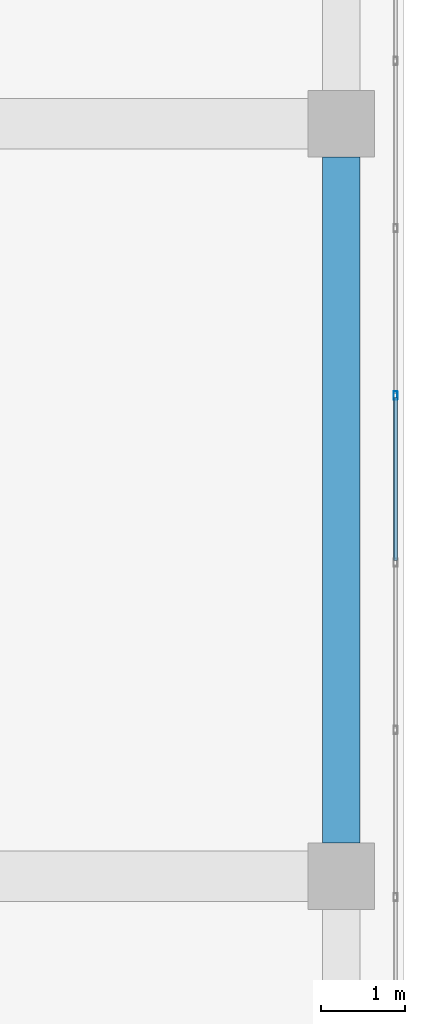
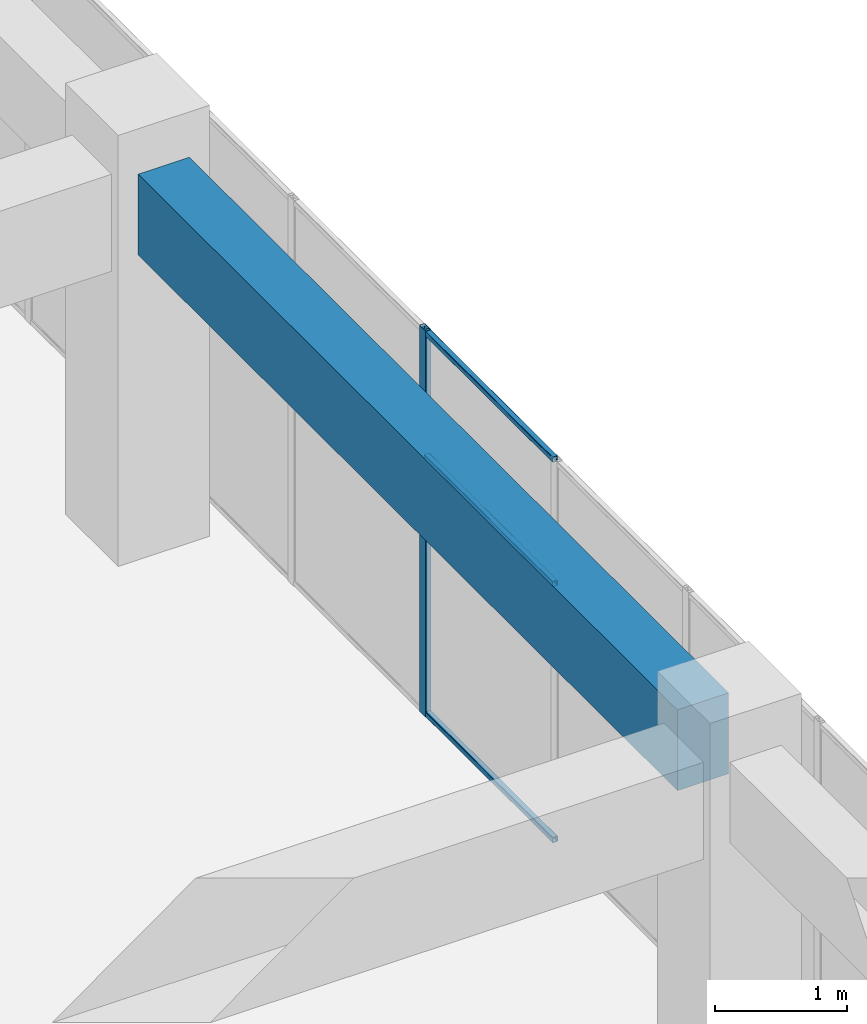
# One storey, part 48 of 72: 4 members, 1 beam, 1 element without a shape of its own.
"""IFC4 building model written with IfcOpenShell, lengths in metres."""

from ifc_helpers import new_model, si_unit, direction, frame, origin, origin_2d, place, context, subcontext, project, spatial, rectangle, hollow_rectangle, extrude, material, layer, layer_set, material_profile, profile_set, type_object, element, aggregate, save


model = new_model("IFC4")

# Units and contexts
model_context = context("Model", 3, precision=1e-05, world=origin(), true_north=direction((0.0, 1.0)))
body_context = subcontext(model_context, "Body", "Model", "MODEL_VIEW")
ifc_project = project(units=[si_unit("LENGTHUNIT", "METRE"), si_unit("AREAUNIT", "SQUARE_METRE"), si_unit("VOLUMEUNIT", "CUBIC_METRE"), si_unit("PLANEANGLEUNIT", "RADIAN"), si_unit("MASSUNIT", "GRAM", prefix="KILO")], contexts=[model_context])

# Site, building, storey
site_placement = place(None, origin())
site = spatial("IfcSite", under=ifc_project, at=site_placement, CompositionType="ELEMENT")
building_placement = place(site_placement, origin())
building = spatial("IfcBuilding", under=site, at=building_placement, Name="Tuart Plaza Theatre", CompositionType="ELEMENT")
storey_placement = place(building_placement, frame((0.0, 0.0, 13.5)))
storey = spatial("IfcBuildingStorey", under=building, at=storey_placement, Name="L03", CompositionType="ELEMENT", Elevation=13.5)

# Beam
ifc_material_1 = material(Name="Concrete N40 (40 MPa)", Category="concrete")
ifc_material_profile_1 = material_profile(ifc_material_1, rectangle(XDim=0.449951171875, YDim=0.75, at=origin_2d()), Name="BEAM 450x750 Concrete N40 (40 MPa)")
ifc_profile_set_1 = profile_set([ifc_material_profile_1], Name="Concrete N40 (40 MPa)")
beam_type = type_object("IfcBeamType", Name="BEAM 450x750 Concrete N40 (40 MPa)", PredefinedType="BEAM", material=ifc_profile_set_1)
beam_placement = place(storey_placement, frame((150.0, 65.39990234375, 3.205078125), z_axis=(0.0, 1.0, 0.0), x_axis=(-1.0, 0.0, 0.0)))
element("IfcBeam", 1, at=beam_placement, inside=storey, type_object=beam_type, Name="RB199", PredefinedType="BEAM", context=body_context, shape_type="SweptSolid", body=[
    extrude(rectangle(XDim=0.449951171875, YDim=0.75, at=origin_2d()), origin(), (0.0, 0.0, 1.0), 8.2001953125),
])

# Curtain wall, members
ifc_material_2 = material(Name="Aluminium and glass", Category="aluminium")
ifc_layer = layer(ifc_material_2, 0.10009765625)
ifc_layer_set = layer_set([ifc_layer], Name="CURTAIN WALL 2000 module")
curtain_wall_type = type_object("IfcCurtainWallType", Name="CURTAIN WALL 2000 module", PredefinedType="NOTDEFINED", material=ifc_layer_set)
curtain_wall_placement = place(storey_placement, origin())
curtain_wall = element("IfcCurtainWall", 2, at=curtain_wall_placement, inside=storey, type_object=curtain_wall_type, Name="CW69", PredefinedType="NOTDEFINED")
ifc_material_3 = material(Name="Aluminium 6063-T5", Category="aluminium")
ifc_material_profile_2 = material_profile(ifc_material_3, hollow_rectangle(XDim=0.050048828125, YDim=0.10009765625, WallThickness=0.00390625, InnerFilletRadius=0.00390625, OuterFilletRadius=0.008056640625, at=origin_2d()), Name="RHS 100x50x4")
ifc_profile_set_2 = profile_set([ifc_material_profile_2], Name="Aluminium 6063-T5")
member_type_1 = type_object("IfcMemberType", Name="MULLION RHS 100x50x4", PredefinedType="MULLION", material=ifc_profile_set_2)
member_1_placement = place(storey_placement, frame((150.64990234375, 70.75, 0.0), z_axis=(0.0, 0.0, 1.0), x_axis=(-1.0, 0.0, 0.0)))
member_1 = element("IfcMember", 3, at=member_1_placement, type_object=member_type_1, Name="CW69 mullion 11", PredefinedType="MULLION", context=body_context, shape_type="SweptSolid", body=[
    extrude(hollow_rectangle(XDim=0.050048828125, YDim=0.10009765625, WallThickness=0.00390625, InnerFilletRadius=0.00390625, OuterFilletRadius=0.008056640625, at=origin_2d()), origin(), (0.0, 0.0, 1.0), 3.580078125),
])
ifc_material_4 = material(Name="Aluminium 6063-T5", Category="aluminium")
ifc_material_profile_3 = material_profile(ifc_material_4, hollow_rectangle(XDim=0.050048828125, YDim=0.050048828125, WallThickness=0.00390625, InnerFilletRadius=0.00390625, OuterFilletRadius=0.008056640625, at=origin_2d()), Name="RHS 50x50x4")
ifc_profile_set_3 = profile_set([ifc_material_profile_3], Name="Aluminium 6063-T5")
member_type_2 = type_object("IfcMemberType", Name="TRANSOM RHS 50x50x4", PredefinedType="USERDEFINED", material=ifc_profile_set_3)
member_2_placement = place(storey_placement, frame((150.64990234375, 68.77490234375, 0.02490234375), z_axis=(0.0, 1.0, 0.0), x_axis=(-1.0, 0.0, 0.0)))
member_2 = element("IfcMember", 4, at=member_2_placement, type_object=member_type_2, Name="CW69 transom 10.1", ObjectType="TRANSOM", PredefinedType="USERDEFINED", context=body_context, shape_type="SweptSolid", body=[
    extrude(hollow_rectangle(XDim=0.050048828125, YDim=0.050048828125, WallThickness=0.00390625, InnerFilletRadius=0.00390625, OuterFilletRadius=0.008056640625, at=origin_2d()), origin(), (0.0, 0.0, 1.0), 1.9501953125),
])
member_3_placement = place(storey_placement, frame((150.64990234375, 68.77490234375, 2.39990234375), z_axis=(0.0, 1.0, 0.0), x_axis=(-1.0, 0.0, 0.0)))
member_3 = element("IfcMember", 5, at=member_3_placement, type_object=member_type_2, Name="CW69 transom 10.2", ObjectType="TRANSOM", PredefinedType="USERDEFINED", context=body_context, shape_type="SweptSolid", body=[
    extrude(hollow_rectangle(XDim=0.050048828125, YDim=0.050048828125, WallThickness=0.00390625, InnerFilletRadius=0.00390625, OuterFilletRadius=0.008056640625, at=origin_2d()), origin(), (0.0, 0.0, 1.0), 1.9501953125),
])
member_4_placement = place(storey_placement, frame((150.64990234375, 68.77490234375, 3.554931640625), z_axis=(0.0, 1.0, 0.0), x_axis=(-1.0, 0.0, 0.0)))
member_4 = element("IfcMember", 6, at=member_4_placement, type_object=member_type_2, Name="CW69 transom 10.3", ObjectType="TRANSOM", PredefinedType="USERDEFINED", context=body_context, shape_type="SweptSolid", body=[
    extrude(hollow_rectangle(XDim=0.050048828125, YDim=0.050048828125, WallThickness=0.00390625, InnerFilletRadius=0.00390625, OuterFilletRadius=0.008056640625, at=origin_2d()), origin(), (0.0, 0.0, 1.0), 1.9501953125),
])
aggregate(curtain_wall, [member_1, member_2, member_3, member_4])

save(model, "model.ifc")
